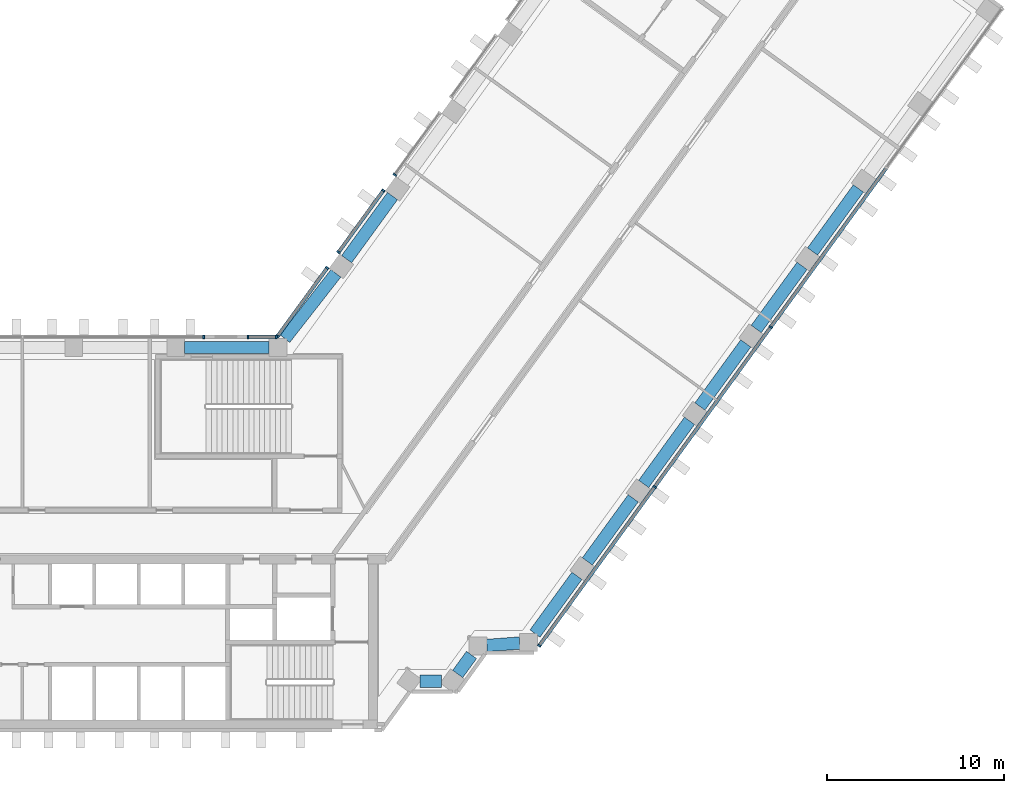
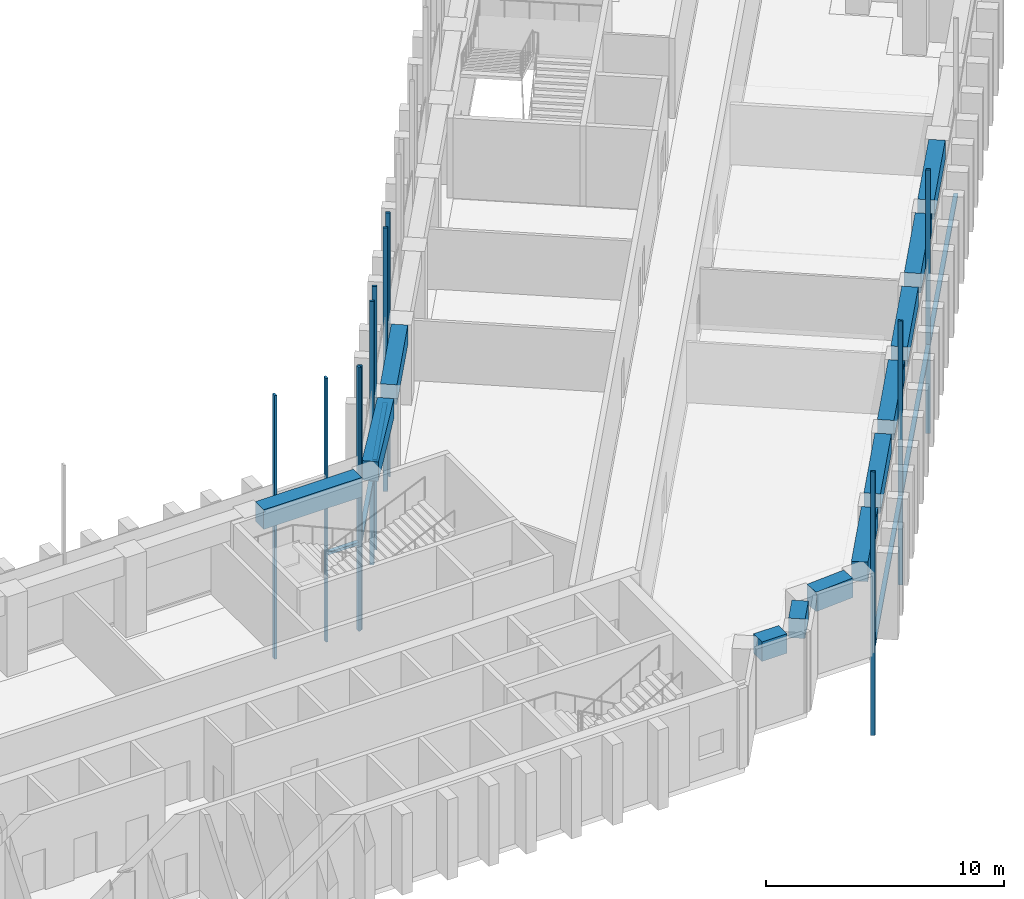
# One storey, part 5 of 18: 17 members, 12 beams, 6 elements without a shape of their own.
"""IFC4 building model written with IfcOpenShell, lengths in metres."""

import ifcopenshell
import ifcopenshell.guid

model = None  # the IFC model being written
_history = None  # IfcOwnerHistory: only IFC2X3 demands one
_inside = {}  # id of a spatial element -> (the spatial element, [elements in it])
_under = {}  # id of a project, library or spatial element -> (it, [spatial elements below it])
_declared = {}  # id of a project -> (the project, [libraries it declares])
_typed = {}  # id of a type object -> (the type object, [elements of that type])
_made_of = {}  # id of a material, layer set ... -> (it, [elements and type objects made of it])


def new_model(schema):
    """Start an empty IFC model of exactly this schema.

    Asked for "IFC4X3", IfcOpenShell would pick the latest addendum, in which some entities
    have other attributes; the version numbers below select the first issue.
    IFC2X3 requires an IfcOwnerHistory on every rooted entity: one is made here for all.
    """
    global model, _history
    if schema == "IFC4X3":
        model = ifcopenshell.file(schema_version=(4, 3, 0, 0))
    else:
        model = ifcopenshell.file(schema=schema)
    _inside.clear()
    _under.clear()
    _declared.clear()
    _typed.clear()
    _made_of.clear()
    _history = None
    if model.schema == "IFC2X3":
        org = make("IfcOrganization", Name="unknown")
        user = make(
            "IfcPersonAndOrganization",
            ThePerson=make("IfcPerson", FamilyName="unknown"),
            TheOrganization=org,
        )
        app = make(
            "IfcApplication",
            ApplicationDeveloper=org,
            Version="unknown",
            ApplicationFullName="unknown",
            ApplicationIdentifier="unknown",
        )
        _history = make(
            "IfcOwnerHistory",
            OwningUser=user,
            OwningApplication=app,
            ChangeAction="ADDED",
            CreationDate=0,
        )
    return model


def make(cls, **values):
    """One entity of the class cls with the attributes given. An attribute that is None is left unset."""
    return model.create_entity(
        cls, **{name: value for name, value in values.items() if value is not None}
    )


def rooted(cls, **values):
    """An entity with a GlobalId (a new one), such as an element, a storey or a relation."""
    return make(cls, GlobalId=ifcopenshell.guid.new(), OwnerHistory=_history, **values)


def si_unit(unit_type, name, prefix=None):
    """IfcSIUnit, for example si_unit("LENGTHUNIT", "METRE", prefix="MILLI")."""
    return make("IfcSIUnit", UnitType=unit_type, Prefix=prefix, Name=name)


def assignment(units):
    """IfcUnitAssignment: the units of a project."""
    return None if units is None else make("IfcUnitAssignment", Units=units)


def point(xyz):
    """IfcCartesianPoint."""
    return None if xyz is None else make("IfcCartesianPoint", Coordinates=xyz)


def direction(xyz):
    """IfcDirection."""
    return None if xyz is None else make("IfcDirection", DirectionRatios=xyz)


def frame(location, z_axis=None, x_axis=None):
    """IfcAxis2Placement3D, a coordinate frame: its origin and axes. An axis left out is left unset."""
    return make(
        "IfcAxis2Placement3D",
        Location=point(location),
        Axis=direction(z_axis),
        RefDirection=direction(x_axis),
    )


def frame_2d(location, x_axis=None):
    """IfcAxis2Placement2D, a coordinate frame in the plane: its origin and x axis."""
    return make(
        "IfcAxis2Placement2D", Location=point(location), RefDirection=direction(x_axis)
    )


def origin():
    """The frame at (0, 0, 0) with its axes left unset."""
    return frame((0.0, 0.0, 0.0))


def origin_2d():
    """The frame at (0, 0) in the plane with its x axis left unset."""
    return frame_2d((0.0, 0.0))


def place(relative_to, where):
    """IfcLocalPlacement: puts the frame where relative to a parent placement (None: the world)."""
    return make(
        "IfcLocalPlacement", PlacementRelTo=relative_to, RelativePlacement=where
    )


def context(
    kind, dimensions, precision=None, world=None, true_north=None, identifier=None
):
    """IfcGeometricRepresentationContext, for example the 3D "Model" context."""
    return make(
        "IfcGeometricRepresentationContext",
        ContextIdentifier=identifier,
        ContextType=kind,
        CoordinateSpaceDimension=dimensions,
        Precision=precision,
        WorldCoordinateSystem=world,
        TrueNorth=true_north,
    )


def subcontext(parent, identifier, kind, view, scale=None):
    """IfcGeometricRepresentationSubContext, for example "Body" below "Model"."""
    return make(
        "IfcGeometricRepresentationSubContext",
        ContextIdentifier=identifier,
        ContextType=kind,
        ParentContext=parent,
        TargetScale=scale,
        TargetView=view,
    )


def project(units=None, contexts=None):
    """IfcProject with its units and contexts."""
    return rooted(
        "IfcProject",
        Name="project",
        RepresentationContexts=contexts,
        UnitsInContext=assignment(units),
    )


def spatial(cls, under=None, at=None, **own):
    """A site, building, storey or space (cls), placed at a placement, below another one or the project."""
    s = rooted(cls, ObjectPlacement=at, **own)
    if under is not None:
        _under.setdefault(under.id(), (under, []))[1].append(s)
    return s


def profile(cls, at=None, kind="AREA", **sizes):
    """A parametric profile (cls). Its sizes go by their IFC names, for example OverallWidth=200.0."""
    return make(cls, ProfileType=kind, Position=at, **sizes)


def rectangle(**sizes):
    """IfcRectangleProfileDef."""
    return profile("IfcRectangleProfileDef", **sizes)


def extrude(swept, where, along, depth):
    """IfcExtrudedAreaSolid: the profile swept, set in the frame where, extruded along a direction by depth."""
    return make(
        "IfcExtrudedAreaSolid",
        SweptArea=swept,
        Position=where,
        ExtrudedDirection=direction(along),
        Depth=depth,
    )


def shape(context_of_items, identifier, shape_type, items):
    """IfcShapeRepresentation: the items that make up one representation, for example the "Body"."""
    return make(
        "IfcShapeRepresentation",
        ContextOfItems=context_of_items,
        RepresentationIdentifier=identifier,
        RepresentationType=shape_type,
        Items=items,
    )


def material(Name=None, Category=None):
    """IfcMaterial."""
    return make("IfcMaterial", Name=Name, Category=Category)


def material_profile(
    of_material, cross_section, Name=None, Category=None, Priority=None
):
    """IfcMaterialProfile: a cross section and its material."""
    return make(
        "IfcMaterialProfile",
        Name=Name,
        Material=of_material,
        Profile=cross_section,
        Priority=Priority,
        Category=Category,
    )


def profile_set(profiles, Name=None, composite=None):
    """IfcMaterialProfileSet."""
    return make(
        "IfcMaterialProfileSet",
        Name=Name,
        MaterialProfiles=profiles,
        CompositeProfile=composite,
    )


def made_of(thing, what):
    """Note that an element or type object is made of a material, layer set ...; save() writes the relation."""
    if what is not None:
        _made_of.setdefault(what.id(), (what, []))[1].append(thing)
    return thing


def type_object(cls, material=None, **own):
    """A type object (cls), such as IfcWallType, which elements share."""
    return made_of(rooted(cls, **own), material)


def element(
    cls,
    number,
    at=None,
    inside=None,
    cuts=None,
    type_object=None,
    material=None,
    context=None,
    identifier="Body",
    shape_type=None,
    held_by="IfcProductDefinitionShape",
    body=None,
    shapes=None,
    **own,
):
    """One element of the class cls, such as IfcWall. Its Tag is "e" and its number.

    at: its placement. inside: the storey or other place that contains it. cuts: it is an
    opening in that element (IfcRelVoidsElement). A single representation is given by context,
    identifier, shape_type and body (its items); several are given by shapes. held_by: the class
    of the entity that holds the representations. save() writes the other relations.
    """
    e = rooted(cls, Tag="e%d" % number, ObjectPlacement=at, **own)
    if body is not None:
        shapes = [shape(context, identifier, shape_type, body)]
    if shapes is not None:
        e.Representation = make(held_by, Representations=shapes)
    if inside is not None:
        _inside.setdefault(inside.id(), (inside, []))[1].append(e)
    if cuts is not None:
        rooted(
            "IfcRelVoidsElement", RelatingBuildingElement=cuts, RelatedOpeningElement=e
        )
    if type_object is not None:
        _typed.setdefault(type_object.id(), (type_object, []))[1].append(e)
    return made_of(e, material)


def aggregate(whole, parts):
    """IfcRelAggregates: a whole, such as a stair, and the parts it consists of."""
    return rooted("IfcRelAggregates", RelatingObject=whole, RelatedObjects=parts)


def save(model, path):
    """Write the relations noted so far, then the file.

    IfcRelAggregates (storeys below a building ...), IfcRelContainedInSpatialStructure (elements
    in a storey), IfcRelDefinesByType, IfcRelAssociatesMaterial and IfcRelDeclares: one each for
    every whole, place, type object, material and project.
    """
    for whole, parts in _under.values():
        aggregate(whole, parts)
    for where, things in _inside.values():
        rooted(
            "IfcRelContainedInSpatialStructure",
            RelatedElements=things,
            RelatingStructure=where,
        )
    for kind, things in _typed.values():
        rooted("IfcRelDefinesByType", RelatedObjects=things, RelatingType=kind)
    for what, things in _made_of.values():
        rooted("IfcRelAssociatesMaterial", RelatedObjects=things, RelatingMaterial=what)
    for by, libraries in _declared.values():
        rooted("IfcRelDeclares", RelatingContext=by, RelatedDefinitions=libraries)
    model.write(path)


model = new_model("IFC4")

# Units and contexts
model_context = context("Model", 3, precision=1e-05, world=origin(), true_north=direction((0.0, 1.0)))
body_context = subcontext(model_context, "Body", "Model", "MODEL_VIEW")
ifc_project = project(units=[si_unit("LENGTHUNIT", "METRE"), si_unit("AREAUNIT", "SQUARE_METRE"), si_unit("VOLUMEUNIT", "CUBIC_METRE"), si_unit("PLANEANGLEUNIT", "RADIAN"), si_unit("MASSUNIT", "GRAM", prefix="KILO")], contexts=[model_context])

# Site, building, storey
site_placement = place(None, origin())
site = spatial("IfcSite", under=ifc_project, at=site_placement, CompositionType="ELEMENT")
building_placement = place(site_placement, origin())
building = spatial("IfcBuilding", under=site, at=building_placement, Name="Quipu Civic Tower", CompositionType="ELEMENT")
storey_placement = place(building_placement, frame((0.0, 0.0, 16.0)))
storey = spatial("IfcBuildingStorey", under=building, at=storey_placement, Name="L03", CompositionType="ELEMENT", Elevation=16.0)

# Curtain wall, members
ifc_material_1 = material(Name="Insulated glass unit", Category="glass")
curtain_wall_type = type_object("IfcCurtainWallType", Name="Public services curtain wall CW3", PredefinedType="NOTDEFINED", material=ifc_material_1)
curtain_wall_1_placement = place(storey_placement, origin())
curtain_wall_1 = element("IfcCurtainWall", 1, at=curtain_wall_1_placement, inside=storey, type_object=curtain_wall_type, Name="Public services curtain wall CW3 L02 run 32", PredefinedType="NOTDEFINED")
ifc_material_2 = material(Name="Anodised aluminium", Category="aluminium")
ifc_material_profile_1 = material_profile(ifc_material_2, rectangle(XDim=0.199951171875, YDim=0.10009765625, at=origin_2d()), Name="RECT 200x100")
ifc_profile_set_1 = profile_set([ifc_material_profile_1], Name="Anodised aluminium")
member_type_1 = type_object("IfcMemberType", Name="Mullion CW3", PredefinedType="MULLION", material=ifc_profile_set_1)
member_1_placement = place(storey_placement, frame((29.13525390625, -6.310791015625, -4.429931640625), z_axis=(0.0, 0.0, 1.0), x_axis=(-0.809016918788, 0.587785356329, 0.0)))
member_1 = element("IfcMember", 2, at=member_1_placement, type_object=member_type_1, Name="CW3 mullion 1", PredefinedType="MULLION", context=body_context, shape_type="SweptSolid", body=[
    extrude(rectangle(XDim=0.199951171875, YDim=0.10009765625, at=origin_2d()), origin(), (0.0, 0.0, 1.0), 13.5),
])
member_2_placement = place(storey_placement, frame((35.64306640625, 2.646240234375, -4.429931640625), z_axis=(0.0, 0.0, 1.0), x_axis=(-0.809016918788, 0.587785356329, 0.0)))
member_2 = element("IfcMember", 3, at=member_2_placement, type_object=member_type_1, Name="CW3 mullion 2", PredefinedType="MULLION", context=body_context, shape_type="SweptSolid", body=[
    extrude(rectangle(XDim=0.199951171875, YDim=0.10009765625, at=origin_2d()), origin(), (0.0, 0.0, 1.0), 13.5),
])
member_3_placement = place(storey_placement, frame((42.179931640625, 11.6435546875, -4.429931640625), z_axis=(0.0, 0.0, 1.0), x_axis=(-0.809016918788, 0.587785356329, 0.0)))
member_3 = element("IfcMember", 4, at=member_3_placement, type_object=member_type_1, Name="CW3 mullion 3", PredefinedType="MULLION", context=body_context, shape_type="SweptSolid", body=[
    extrude(rectangle(XDim=0.199951171875, YDim=0.10009765625, at=origin_2d()), origin(), (0.0, 0.0, 1.0), 13.5),
])

# Curtain wall, member
curtain_wall_2_placement = place(storey_placement, origin())
curtain_wall_2 = element("IfcCurtainWall", 5, at=curtain_wall_2_placement, inside=storey, type_object=curtain_wall_type, Name="Public services curtain wall CW3 L02 run 47", PredefinedType="NOTDEFINED")
member_4_placement = place(storey_placement, frame((20.985595703125, 20.2412109375, -4.429931640625), z_axis=(0.0, 0.0, 1.0), x_axis=(0.809024930992, -0.587774328321, 0.0)))
member_4 = element("IfcMember", 6, at=member_4_placement, type_object=member_type_1, Name="CW3 mullion 2", PredefinedType="MULLION", context=body_context, shape_type="SweptSolid", body=[
    extrude(rectangle(XDim=0.199951171875, YDim=0.10009765625, at=origin_2d()), origin(), (0.0, 0.0, 1.0), 13.5),
])
aggregate(curtain_wall_2, [member_4])

# Curtain wall, members
curtain_wall_3_placement = place(storey_placement, origin())
curtain_wall_3 = element("IfcCurtainWall", 7, at=curtain_wall_3_placement, inside=storey, type_object=curtain_wall_type, Name="Public services curtain wall CW3 L02 run 48", PredefinedType="NOTDEFINED")
member_5_placement = place(storey_placement, frame((20.339111328125, 19.351318359375, -4.429931640625), z_axis=(0.0, 0.0, 1.0), x_axis=(0.809006271283, -0.587800011079, 0.0)))
member_5 = element("IfcMember", 8, at=member_5_placement, type_object=member_type_1, Name="CW3 mullion 1", PredefinedType="MULLION", context=body_context, shape_type="SweptSolid", body=[
    extrude(rectangle(XDim=0.199951171875, YDim=0.10009765625, at=origin_2d()), origin(), (0.0, 0.0, 1.0), 13.5),
])
member_6_placement = place(storey_placement, frame((17.8115234375, 15.87255859375, -4.429931640625), z_axis=(0.0, 0.0, 1.0), x_axis=(0.809006271283, -0.587800011079, 0.0)))
member_6 = element("IfcMember", 9, at=member_6_placement, type_object=member_type_1, Name="CW3 mullion 2", PredefinedType="MULLION", context=body_context, shape_type="SweptSolid", body=[
    extrude(rectangle(XDim=0.199951171875, YDim=0.10009765625, at=origin_2d()), origin(), (0.0, 0.0, 1.0), 13.5),
])

curtain_wall_4_placement = place(storey_placement, origin())
curtain_wall_4 = element("IfcCurtainWall", 10, at=curtain_wall_4_placement, inside=storey, type_object=curtain_wall_type, Name="Public services curtain wall CW3 L02 run 49", PredefinedType="NOTDEFINED")
member_7_placement = place(storey_placement, frame((17.1650390625, 14.982666015625, -4.429931640625), z_axis=(0.0, 0.0, 1.0), x_axis=(0.809009770629, -0.587795194797, 0.0)))
member_7 = element("IfcMember", 11, at=member_7_placement, type_object=member_type_1, Name="CW3 mullion 1", PredefinedType="MULLION", context=body_context, shape_type="SweptSolid", body=[
    extrude(rectangle(XDim=0.199951171875, YDim=0.10009765625, at=origin_2d()), origin(), (0.0, 0.0, 1.0), 13.5),
])
member_8_placement = place(storey_placement, frame((14.37353515625, 11.140380859375, -4.429931640625), z_axis=(0.0, 0.0, 1.0), x_axis=(0.809009770629, -0.587795194797, 0.0)))
member_8 = element("IfcMember", 12, at=member_8_placement, type_object=member_type_1, Name="CW3 mullion 2", PredefinedType="MULLION", context=body_context, shape_type="SweptSolid", body=[
    extrude(rectangle(XDim=0.199951171875, YDim=0.10009765625, at=origin_2d()), origin(), (0.0, 0.0, 1.0), 13.5),
])

curtain_wall_5_placement = place(storey_placement, origin())
curtain_wall_5 = element("IfcCurtainWall", 13, at=curtain_wall_5_placement, inside=storey, type_object=curtain_wall_type, Name="Public services curtain wall CW3 L02 run 50", PredefinedType="NOTDEFINED")
member_9_placement = place(storey_placement, frame((14.294189453125, 11.10009765625, -4.429931640625), z_axis=(0.0, 0.0, 1.0), x_axis=(0.0, -1.0, 0.0)))
member_9 = element("IfcMember", 14, at=member_9_placement, type_object=member_type_1, Name="CW3 mullion 1", PredefinedType="MULLION", context=body_context, shape_type="SweptSolid", body=[
    extrude(rectangle(XDim=0.199951171875, YDim=0.10009765625, at=origin_2d()), origin(), (0.0, 0.0, 1.0), 13.5),
])
member_10_placement = place(storey_placement, frame((12.705078125, 11.10009765625, -4.429931640625), z_axis=(0.0, 0.0, 1.0), x_axis=(0.0, -1.0, 0.0)))
member_10 = element("IfcMember", 15, at=member_10_placement, type_object=member_type_1, Name="CW3 mullion 2", PredefinedType="MULLION", context=body_context, shape_type="SweptSolid", body=[
    extrude(rectangle(XDim=0.199951171875, YDim=0.10009765625, at=origin_2d()), origin(), (0.0, 0.0, 1.0), 13.5),
])

# Curtain wall, member
curtain_wall_6_placement = place(storey_placement, origin())
curtain_wall_6 = element("IfcCurtainWall", 16, at=curtain_wall_6_placement, inside=storey, type_object=curtain_wall_type, Name="Public services curtain wall CW3 L02 run 52", PredefinedType="NOTDEFINED")
member_11_placement = place(storey_placement, frame((10.21337890625, 11.10009765625, -4.429931640625), z_axis=(0.0, 0.0, 1.0), x_axis=(0.0, -1.0, 0.0)))
member_11 = element("IfcMember", 17, at=member_11_placement, type_object=member_type_1, Name="CW3 mullion 1", PredefinedType="MULLION", context=body_context, shape_type="SweptSolid", body=[
    extrude(rectangle(XDim=0.199951171875, YDim=0.10009765625, at=origin_2d()), origin(), (0.0, 0.0, 1.0), 13.5),
])
aggregate(curtain_wall_6, [member_11])

# Beams
ifc_material_3 = material(Name="Concrete C50/60", Category="concrete")
ifc_material_profile_2 = material_profile(ifc_material_3, rectangle(XDim=0.699951171875, YDim=1.0, at=origin_2d()), Name="RC700x1000")
ifc_profile_set_2 = profile_set([ifc_material_profile_2], Name="Concrete C50/60")
beam_type = type_object("IfcBeamType", Name="Spandrel beam RC 700x1000 C50/60", PredefinedType="SPANDREL", material=ifc_profile_set_2)
beam_1_placement = place(storey_placement, frame((22.409912109375, -8.31494140625, 3.60009765625), z_axis=(1.0, 0.0, 0.0), x_axis=(0.0, 1.0, 0.0)))
element("IfcBeam", 18, at=beam_1_placement, inside=storey, type_object=beam_type, Name="Spandrel beam L03 J-Eo.1 to J-Eo.2", PredefinedType="SPANDREL", context=body_context, shape_type="SweptSolid", body=[
    extrude(rectangle(XDim=0.699951171875, YDim=1.0, at=origin_2d()), origin(), (0.0, 0.0, 1.0), 1.20703125),
])
beam_2_placement = place(storey_placement, frame((24.529296875, -7.91064453125, 3.60009765625), z_axis=(0.588346597772, 0.808608855313, 0.0), x_axis=(-0.808608855313, 0.588346597772, 0.0)))
element("IfcBeam", 19, at=beam_2_placement, inside=storey, type_object=beam_type, Name="Spandrel beam L03 J-Eo.2 to J-Eo.3", PredefinedType="SPANDREL", context=body_context, shape_type="SweptSolid", body=[
    extrude(rectangle(XDim=0.699951171875, YDim=1.0, at=origin_2d()), origin(), (0.0, 0.0, 1.0), 1.327880859375),
])
beam_3_placement = place(storey_placement, frame((26.17431640625, -6.30078125, 3.60009765625), z_axis=(0.997368412419, 0.072499999372, 0.0), x_axis=(-0.072499999372, 0.997368412419, 0.0)))
element("IfcBeam", 20, at=beam_3_placement, inside=storey, type_object=beam_type, Name="Spandrel beam L03 J-Eo.3 to J-Eo.4", PredefinedType="SPANDREL", context=body_context, shape_type="SweptSolid", body=[
    extrude(rectangle(XDim=0.699951171875, YDim=1.0, at=origin_2d()), origin(), (0.0, 0.0, 1.0), 1.85546875),
])
beam_4_placement = place(storey_placement, frame((28.88818359375, -5.6298828125, 3.60009765625), z_axis=(0.587811022966, 0.808998270258, 0.0), x_axis=(-0.808998270258, 0.587811022966, 0.0)))
element("IfcBeam", 21, at=beam_4_placement, inside=storey, type_object=beam_type, Name="Spandrel beam L03 J-Eo.4 to E-OUT-01", PredefinedType="SPANDREL", context=body_context, shape_type="SweptSolid", body=[
    extrude(rectangle(XDim=0.699951171875, YDim=1.0, at=origin_2d()), origin(), (0.0, 0.0, 1.0), 4.025390625),
])
for number, where, z_axis, x_axis, name in (
    (22, (31.84228515625, -1.564208984375, 3.60009765625), (0.587759228046, 0.809035901457, 0.0), (-0.809035901457, 0.587759228046, 0.0), "Spandrel beam L03 E-OUT-01 to E-OUT-02"),
    (23, (35.01611328125, 2.804443359375, 3.60009765625), (0.587759228046, 0.809035901457, 0.0), (-0.809035901457, 0.587759228046, 0.0), "Spandrel beam L03 E-OUT-02 to E-OUT-03"),
    (24, (38.190185546875, 7.173095703125, 3.60009765625), (0.58779554378, 0.809009517072, 0.0), (-0.809009517072, 0.58779554378, 0.0), "Spandrel beam L03 E-OUT-03 to E-OUT-04"),
    (25, (41.3642578125, 11.5419921875, 3.60009765625), (0.587759228046, 0.809035901457, 0.0), (-0.809035901457, 0.587759228046, 0.0), "Spandrel beam L03 E-OUT-04 to E-OUT-05"),
):
    element("IfcBeam", number, at=place(storey_placement, frame(where, z_axis=z_axis, x_axis=x_axis)), inside=storey, type_object=beam_type, Name=name, PredefinedType="SPANDREL", context=body_context, shape_type="SweptSolid", body=[
        extrude(rectangle(XDim=0.699951171875, YDim=1.0, at=origin_2d()), origin(), (0.0, 0.0, 1.0), 4.400146484375),
    ])
for number, where, z_axis, x_axis, name in (
    (26, (44.538330078125, 15.91064453125, 3.60009765625), (0.587785613349, 0.809016732052, 0.0), (-0.809016732052, 0.587785613349, 0.0), "Spandrel beam L03 E-OUT-05 to E-OUT-06"),
    (27, (20.853515625, 19.039306640625, 3.60009765625), (-0.587722908759, -0.809062285934, 0.0), (0.809062285934, -0.587722908759, 0.0), "Spandrel beam L03 E-IN-02 to E-IN-01"),
):
    element("IfcBeam", number, at=place(storey_placement, frame(where, z_axis=z_axis, x_axis=x_axis)), inside=storey, type_object=beam_type, Name=name, PredefinedType="SPANDREL", context=body_context, shape_type="SweptSolid", body=[
        extrude(rectangle(XDim=0.699951171875, YDim=1.0, at=origin_2d()), origin(), (0.0, 0.0, 1.0), 4.39990234375),
    ])
beam_5_placement = place(storey_placement, frame((17.665283203125, 14.680908203125, 3.60009765625), z_axis=(-0.616068753057, -0.787692383806, 0.0), x_axis=(0.787692383806, -0.616068753057, 0.0)))
element("IfcBeam", 28, at=beam_5_placement, inside=storey, type_object=beam_type, Name="Spandrel beam L03 E-IN-01 to J-Ei.0", PredefinedType="SPANDREL", context=body_context, shape_type="SweptSolid", body=[
    extrude(rectangle(XDim=0.699951171875, YDim=1.0, at=origin_2d()), origin(), (0.0, 0.0, 1.0), 4.673095703125),
])
beam_6_placement = place(storey_placement, frame((13.895263671875, 10.5, 3.60009765625), z_axis=(-1.0, 0.0, 0.0), x_axis=(0.0, -1.0, 0.0)))
element("IfcBeam", 29, at=beam_6_placement, inside=storey, type_object=beam_type, Name="Spandrel beam L03 J-Ei.0 to FRONT-01", PredefinedType="SPANDREL", context=body_context, shape_type="SweptSolid", body=[
    extrude(rectangle(XDim=0.699951171875, YDim=1.0, at=origin_2d()), origin(), (0.0, 0.0, 1.0), 4.758056640625),
])

# Member
ifc_material_4 = material(Name="Anodised aluminium", Category="aluminium")
ifc_material_profile_3 = material_profile(ifc_material_4, rectangle(XDim=0.199951171875, YDim=0.139892578125, at=origin_2d()), Name="RECT 200x140")
ifc_profile_set_3 = profile_set([ifc_material_profile_3], Name="Anodised aluminium")
member_type_2 = type_object("IfcMemberType", Name="Transom CW3", PredefinedType="USERDEFINED", material=ifc_profile_set_3)
member_12_placement = place(storey_placement, frame((29.164794921875, -6.2705078125, 0.070068359375), z_axis=(0.587772046886, 0.8090265885, 0.0), x_axis=(-0.8090265885, 0.587772046886, 0.0)))
member_12 = element("IfcMember", 30, at=member_12_placement, type_object=member_type_2, Name="CW3 transom 1.2", ObjectType="TRANSOM", PredefinedType="USERDEFINED", context=body_context, shape_type="SweptSolid", body=[
    extrude(rectangle(XDim=0.199951171875, YDim=0.139892578125, at=origin_2d()), origin(), (0.0, 0.0, 1.0), 10.971435546875),
])

member_13_placement = place(storey_placement, frame((35.67236328125, 2.6865234375, 0.070068359375), z_axis=(0.587777818391, 0.809022395368, 0.0), x_axis=(-0.809022395368, 0.587777818391, 0.0)))
member_13 = element("IfcMember", 31, at=member_13_placement, type_object=member_type_2, Name="CW3 transom 2.2", ObjectType="TRANSOM", PredefinedType="USERDEFINED", context=body_context, shape_type="SweptSolid", body=[
    extrude(rectangle(XDim=0.199951171875, YDim=0.139892578125, at=origin_2d()), origin(), (0.0, 0.0, 1.0), 11.021728515625),
])

member_14_placement = place(storey_placement, frame((42.20947265625, 11.68408203125, 0.070068359375), z_axis=(0.587788351912, 0.80901474236, 0.0), x_axis=(-0.80901474236, 0.587788351912, 0.0)))
member_14 = element("IfcMember", 32, at=member_14_placement, type_object=member_type_2, Name="CW3 transom 3.2", ObjectType="TRANSOM", PredefinedType="USERDEFINED", context=body_context, shape_type="SweptSolid", body=[
    extrude(rectangle(XDim=0.199951171875, YDim=0.139892578125, at=origin_2d()), origin(), (0.0, 0.0, 1.0), 11.021484375),
])

aggregate(curtain_wall_1, [member_1, member_2, member_3, member_12, member_13, member_14])

member_15_placement = place(storey_placement, frame((20.309814453125, 19.310791015625, 0.070068359375), z_axis=(-0.587812175236, -0.808997433027, 0.0), x_axis=(0.808997433027, -0.587812175236, 0.0)))
member_15 = element("IfcMember", 33, at=member_15_placement, type_object=member_type_2, Name="CW3 transom 1.2", ObjectType="TRANSOM", PredefinedType="USERDEFINED", context=body_context, shape_type="SweptSolid", body=[
    extrude(rectangle(XDim=0.199951171875, YDim=0.139892578125, at=origin_2d()), origin(), (0.0, 0.0, 1.0), 4.199951171875),
])

aggregate(curtain_wall_3, [member_5, member_6, member_15])

member_16_placement = place(storey_placement, frame((17.1357421875, 14.942138671875, 0.070068359375), z_axis=(-0.587781327652, -0.809019845779, 0.0), x_axis=(0.809019845779, -0.587781327652, 0.0)))
member_16 = element("IfcMember", 34, at=member_16_placement, type_object=member_type_2, Name="CW3 transom 1.2", ObjectType="TRANSOM", PredefinedType="USERDEFINED", context=body_context, shape_type="SweptSolid", body=[
    extrude(rectangle(XDim=0.199951171875, YDim=0.139892578125, at=origin_2d()), origin(), (0.0, 0.0, 1.0), 4.649169921875),
])

aggregate(curtain_wall_4, [member_7, member_8, member_16])

member_17_placement = place(storey_placement, frame((14.244140625, 11.10009765625, 0.070068359375), z_axis=(-1.0, 0.0, 0.0), x_axis=(0.0, -1.0, 0.0)))
member_17 = element("IfcMember", 35, at=member_17_placement, type_object=member_type_2, Name="CW3 transom 1.2", ObjectType="TRANSOM", PredefinedType="USERDEFINED", context=body_context, shape_type="SweptSolid", body=[
    extrude(rectangle(XDim=0.199951171875, YDim=0.139892578125, at=origin_2d()), origin(), (0.0, 0.0, 1.0), 1.4892578125),
])

aggregate(curtain_wall_5, [member_9, member_10, member_17])

save(model, "model.ifc")
